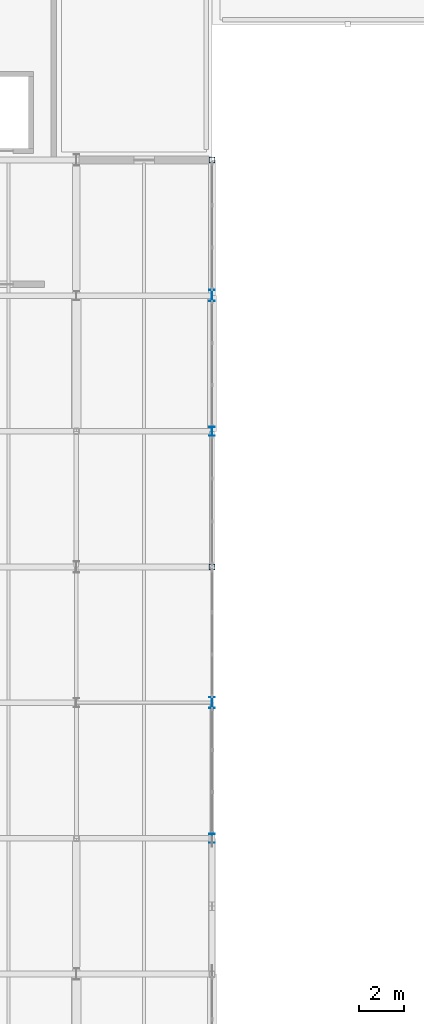
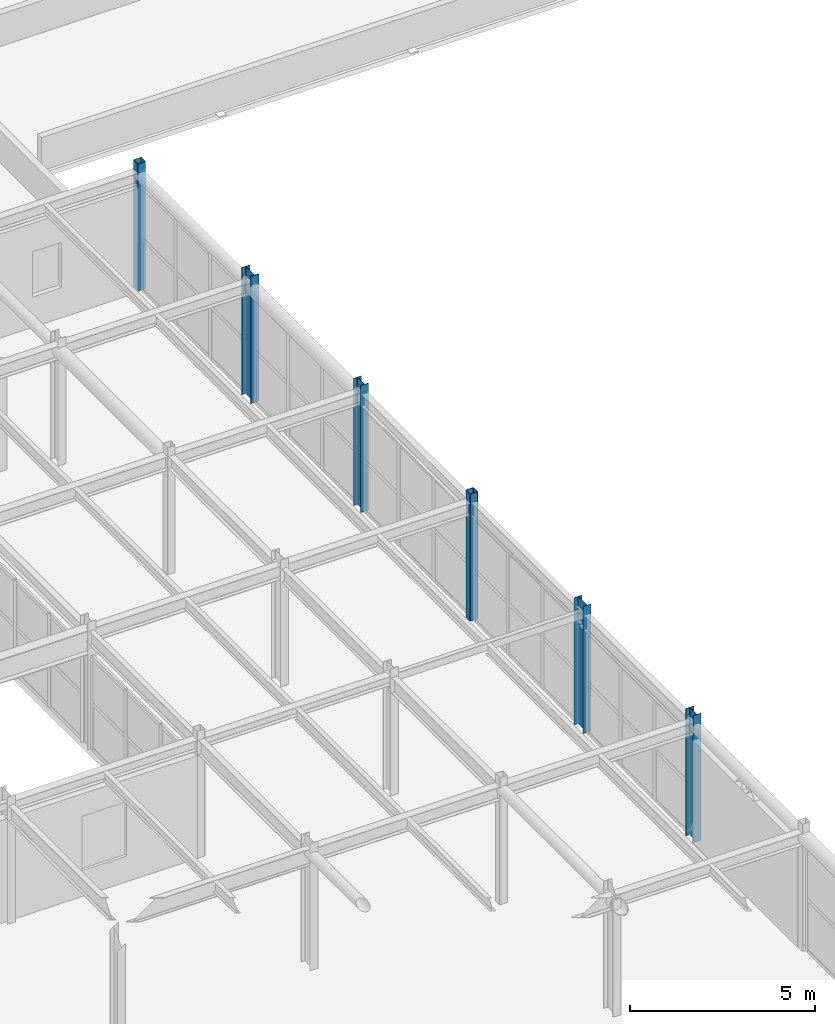
# One storey, part 5 of 83: 6 columns.
"""IFC4 building model written with IfcOpenShell, lengths in metres."""

from ifc_helpers import new_model, si_unit, direction, frame, origin, origin_2d, place, context, subcontext, project, spatial, hollow_rectangle, i_section, extrude, material, material_profile, profile_set, type_object, element, save


model = new_model("IFC4")

# Units and contexts
model_context = context("Model", 3, precision=1e-05, world=origin(), true_north=direction((0.0, 1.0)))
body_context = subcontext(model_context, "Body", "Model", "MODEL_VIEW")
ifc_project = project(units=[si_unit("LENGTHUNIT", "METRE"), si_unit("AREAUNIT", "SQUARE_METRE"), si_unit("VOLUMEUNIT", "CUBIC_METRE"), si_unit("PLANEANGLEUNIT", "RADIAN"), si_unit("MASSUNIT", "GRAM", prefix="KILO")], contexts=[model_context])

# Site, building, storey
site_placement = place(None, origin())
site = spatial("IfcSite", under=ifc_project, at=site_placement, CompositionType="ELEMENT")
building_placement = place(site_placement, origin())
building = spatial("IfcBuilding", under=site, at=building_placement, Name="Varnakota Square Police Headquarters", CompositionType="ELEMENT")
storey_placement = place(building_placement, frame((0.0, 0.0, 18.0)))
storey = spatial("IfcBuildingStorey", under=building, at=storey_placement, Name="L04", CompositionType="ELEMENT", Elevation=18.0)

# Columns
ifc_material = material(Name="Steel IS 2062 Grade 350", Category="steel")
ifc_material_profile_1 = material_profile(ifc_material, i_section(OverallWidth=0.25, OverallDepth=0.39990234375, WebThickness=0.010498046875, FlangeThickness=0.0126953125, FilletRadius=0.013916015625, at=origin_2d()), Name="ISHB 400")
ifc_profile_set_1 = profile_set([ifc_material_profile_1], Name="Steel IS 2062 Grade 350")
column_type_1 = type_object("IfcColumnType", Name="COL-ISHB400", PredefinedType="COLUMN", material=ifc_profile_set_1)
for number, where, z_axis, x_axis, name in (
    (1, (42.0, 33.0, 0.0), (0.0, 0.0, 1.0), (1.0, 0.0, 0.0), "Column X0420-Y0330 L04"),
    (2, (42.0, 51.0, 0.0), (0.0, 0.0, 1.0), (1.0, 0.0, 0.0), "Column X0420-Y0510 L04"),
):
    element("IfcColumn", number, at=place(storey_placement, frame(where, z_axis=z_axis, x_axis=x_axis)), inside=storey, type_object=column_type_1, Name=name, PredefinedType="COLUMN", context=body_context, shape_type="SweptSolid", body=[
        extrude(i_section(OverallWidth=0.25, OverallDepth=0.39990234375, WebThickness=0.010498046875, FlangeThickness=0.0126953125, FilletRadius=0.013916015625, at=origin_2d()), origin(), (0.0, 0.0, 1.0), 4.199951171875),
    ])
ifc_material_profile_2 = material_profile(ifc_material, i_section(OverallWidth=0.25, OverallDepth=0.5, WebThickness=0.010009765625, FlangeThickness=0.0146484375, FilletRadius=0.014892578125, at=origin_2d()), Name="ISWB 500")
ifc_profile_set_2 = profile_set([ifc_material_profile_2], Name="Steel IS 2062 Grade 350")
column_type_2 = type_object("IfcColumnType", Name="COL-ISWB500", PredefinedType="COLUMN", material=ifc_profile_set_2)
for number, where, z_axis, x_axis, name in (
    (3, (42.0, 39.0, 0.0), (0.0, 0.0, 1.0), (1.0, 0.0, 0.0), "Column X0420-Y0390 L04"),
    (4, (42.0, 57.0, 0.0), (0.0, 0.0, 1.0), (1.0, 0.0, 0.0), "Column X0420-Y0570 L04"),
):
    element("IfcColumn", number, at=place(storey_placement, frame(where, z_axis=z_axis, x_axis=x_axis)), inside=storey, type_object=column_type_2, Name=name, PredefinedType="COLUMN", context=body_context, shape_type="SweptSolid", body=[
        extrude(i_section(OverallWidth=0.25, OverallDepth=0.5, WebThickness=0.010009765625, FlangeThickness=0.0146484375, FilletRadius=0.014892578125, at=origin_2d()), origin(), (0.0, 0.0, 1.0), 4.199951171875),
    ])
ifc_material_profile_3 = material_profile(ifc_material, hollow_rectangle(XDim=0.25, YDim=0.25, WallThickness=0.011962890625, InnerFilletRadius=0.011962890625, OuterFilletRadius=0.02392578125, at=origin_2d()), Name="SHS 250x250x12")
ifc_profile_set_3 = profile_set([ifc_material_profile_3], Name="Steel IS 2062 Grade 350")
column_type_3 = type_object("IfcColumnType", Name="COL-SHS250", PredefinedType="COLUMN", material=ifc_profile_set_3)
for number, where, z_axis, x_axis, name in (
    (5, (42.0, 45.0, 0.0), (0.0, 0.0, 1.0), (1.0, 0.0, 0.0), "Column X0420-Y0450 L04"),
    (6, (42.0, 63.0, 0.0), (0.0, 0.0, 1.0), (1.0, 0.0, 0.0), "Column X0420-Y0630 L04"),
):
    element("IfcColumn", number, at=place(storey_placement, frame(where, z_axis=z_axis, x_axis=x_axis)), inside=storey, type_object=column_type_3, Name=name, PredefinedType="COLUMN", context=body_context, shape_type="SweptSolid", body=[
        extrude(hollow_rectangle(XDim=0.25, YDim=0.25, WallThickness=0.011962890625, InnerFilletRadius=0.011962890625, OuterFilletRadius=0.02392578125, at=origin_2d()), origin(), (0.0, 0.0, 1.0), 4.199951171875),
    ])

save(model, "model.ifc")
